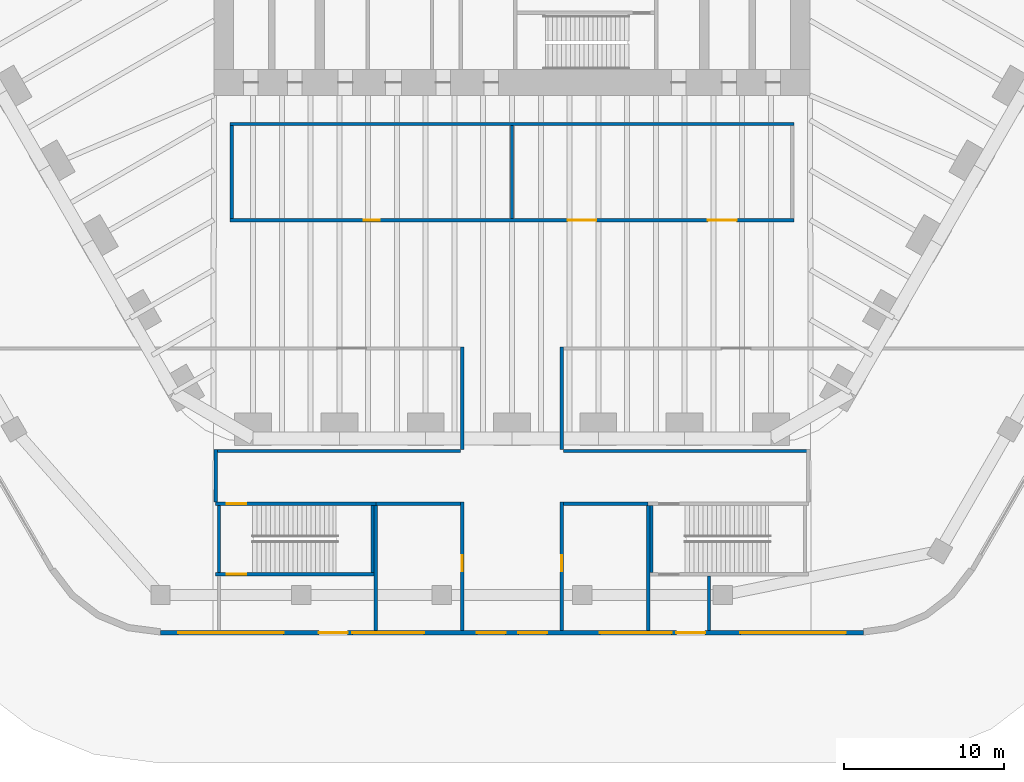
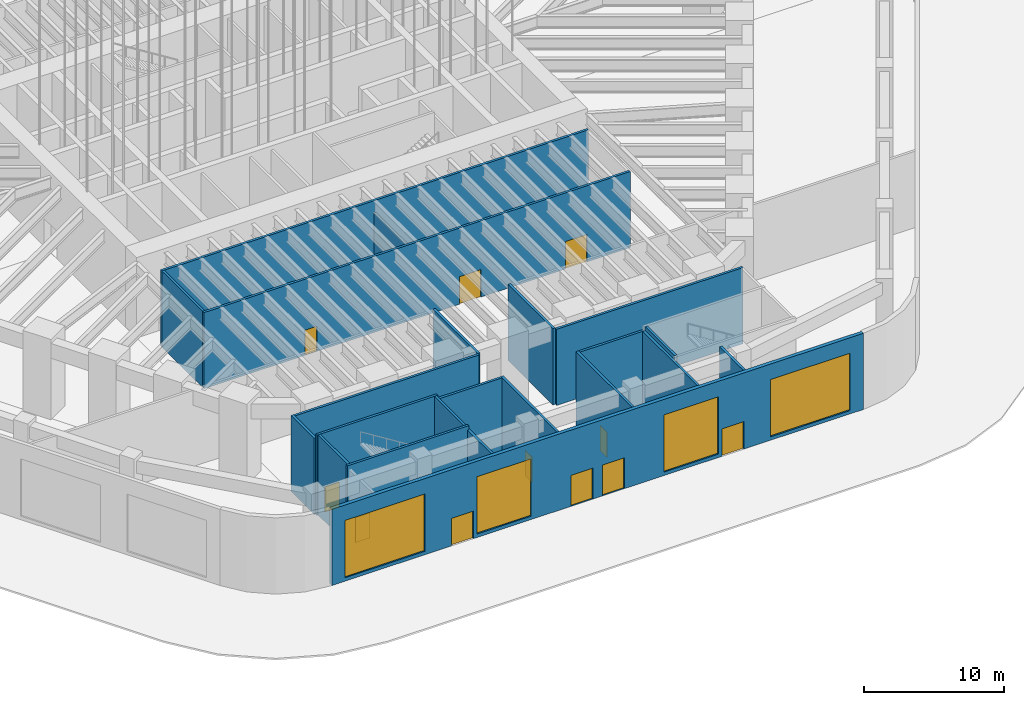
# One storey, part 5 of 23: 22 walls, 11 doors, 4 windows, 15 openings.
"""IFC4 building model written with IfcOpenShell, lengths in metres."""

from ifc_helpers import new_model, si_unit, direction, frame, frame_2d, origin, place, context, subcontext, project, spatial, rectangle, extrude, material, layer, layer_set, type_object, element, fill, save


model = new_model("IFC4")

# Units and contexts
model_context = context("Model", 3, precision=1e-05, world=origin(), true_north=direction((0.0, 1.0)))
body_context = subcontext(model_context, "Body", "Model", "MODEL_VIEW")
ifc_project = project(units=[si_unit("LENGTHUNIT", "METRE"), si_unit("AREAUNIT", "SQUARE_METRE"), si_unit("VOLUMEUNIT", "CUBIC_METRE"), si_unit("PLANEANGLEUNIT", "RADIAN"), si_unit("MASSUNIT", "GRAM", prefix="KILO")], contexts=[model_context])

# Site, building, storey
site_placement = place(None, origin())
site = spatial("IfcSite", under=ifc_project, at=site_placement, CompositionType="ELEMENT")
building_placement = place(site_placement, origin())
building = spatial("IfcBuilding", under=site, at=building_placement, Name="Tarfa Lantern Tower", CompositionType="ELEMENT")
storey_placement = place(building_placement, origin())
storey = spatial("IfcBuildingStorey", under=building, at=storey_placement, Name="L00", CompositionType="ELEMENT", Elevation=0.0)

# Wall, openings, doors, windows
ifc_material_1 = material(Name="Limestone cladding on blockwork", Category="masonry")
ifc_layer_1 = layer(ifc_material_1, 0.300048828125)
ifc_layer_set_1 = layer_set([ifc_layer_1], Name="EW1 STONE-CLAD WALL 300")
wall_type_1 = type_object("IfcWallType", Name="EW1 STONE-CLAD WALL 300", PredefinedType="SOLIDWALL", material=ifc_layer_set_1)
wall_1_placement = place(storey_placement, frame((-21.939208984375, -45.85009765625, 0.0), z_axis=(0.0, 0.0, 1.0), x_axis=(1.0, 0.0, 0.0)))
wall_1 = element("IfcWall", 1, at=wall_1_placement, inside=storey, type_object=wall_type_1, Name="Podium wall S", PredefinedType="SOLIDWALL", context=body_context, shape_type="SweptSolid", body=[
    extrude(rectangle(XDim=43.87841796875, YDim=0.300048828125, at=frame_2d((21.939208984375, 0.0))), origin(), (0.0, 0.0, 1.0), 6.64990234375),
])
opening_1_placement = place(wall_1_placement, frame((1.099853515625, 0.0, 0.300048828125)))
opening_1 = element("IfcOpeningElement", 2, at=opening_1_placement, cuts=wall_1, Name="Opening W1", PredefinedType="OPENING", context=body_context, shape_type="SweptSolid", body=[
    extrude(rectangle(XDim=6.575927734375, YDim=5.0, at=frame_2d((3.2880859375, 2.5))), frame((0.0, 0.159912109375, 0.0), z_axis=(0.0, -1.0, 0.0), x_axis=(1.0, 0.0, 0.0)), (0.0, 0.0, 1.0), 0.320068359375),
])
opening_2_placement = place(wall_1_placement, frame((9.87548828125, 0.0, 0.0)))
opening_2 = element("IfcOpeningElement", 3, at=opening_2_placement, cuts=wall_1, Name="Opening D60", PredefinedType="OPENING", context=body_context, shape_type="SweptSolid", body=[
    extrude(rectangle(XDim=1.800048828125, YDim=2.39990234375, at=frame_2d((0.89990234375, 1.199951171875))), frame((0.0, 0.159912109375, 0.0), z_axis=(0.0, -1.0, 0.0), x_axis=(1.0, 0.0, 0.0)), (0.0, 0.0, 1.0), 0.320068359375),
])
opening_3_placement = place(wall_1_placement, frame((11.9755859375, 0.0, 0.300048828125)))
opening_3 = element("IfcOpeningElement", 4, at=opening_3_placement, cuts=wall_1, Name="Opening W1A", PredefinedType="OPENING", context=body_context, shape_type="SweptSolid", body=[
    extrude(rectangle(XDim=4.47607421875, YDim=5.0, at=frame_2d((2.238037109375, 2.5))), frame((0.0, 0.159912109375, 0.0), z_axis=(0.0, -1.0, 0.0), x_axis=(1.0, 0.0, 0.0)), (0.0, 0.0, 1.0), 0.320068359375),
])
opening_4_placement = place(wall_1_placement, frame((19.7392578125, 0.0, 0.0)))
opening_4 = element("IfcOpeningElement", 5, at=opening_4_placement, cuts=wall_1, Name="Opening D48", PredefinedType="OPENING", context=body_context, shape_type="SweptSolid", body=[
    extrude(rectangle(XDim=1.800048828125, YDim=2.699951171875, at=frame_2d((0.89990234375, 1.35009765625))), frame((0.0, 0.159912109375, 0.0), z_axis=(0.0, -1.0, 0.0), x_axis=(1.0, 0.0, 0.0)), (0.0, 0.0, 1.0), 0.320068359375),
])
opening_5_placement = place(wall_1_placement, frame((22.33935546875, 0.0, 0.0)))
opening_5 = element("IfcOpeningElement", 6, at=opening_5_placement, cuts=wall_1, Name="Opening D49", PredefinedType="OPENING", context=body_context, shape_type="SweptSolid", body=[
    extrude(rectangle(XDim=1.800048828125, YDim=2.699951171875, at=frame_2d((0.89990234375, 1.35009765625))), frame((0.0, 0.159912109375, 0.0), z_axis=(0.0, -1.0, 0.0), x_axis=(1.0, 0.0, 0.0)), (0.0, 0.0, 1.0), 0.320068359375),
])
opening_6_placement = place(wall_1_placement, frame((32.203125, 0.0, 0.0)))
opening_6 = element("IfcOpeningElement", 7, at=opening_6_placement, cuts=wall_1, Name="Opening D61", PredefinedType="OPENING", context=body_context, shape_type="SweptSolid", body=[
    extrude(rectangle(XDim=1.800048828125, YDim=2.39990234375, at=frame_2d((0.89990234375, 1.199951171875))), frame((0.0, 0.159912109375, 0.0), z_axis=(0.0, -1.0, 0.0), x_axis=(1.0, 0.0, 0.0)), (0.0, 0.0, 1.0), 0.320068359375),
])
opening_7_placement = place(wall_1_placement, frame((27.427001953125, 0.0, 0.300048828125)))
opening_7 = element("IfcOpeningElement", 8, at=opening_7_placement, cuts=wall_1, Name="Opening W1A", PredefinedType="OPENING", context=body_context, shape_type="SweptSolid", body=[
    extrude(rectangle(XDim=4.47607421875, YDim=5.0, at=frame_2d((2.238037109375, 2.5))), frame((0.0, 0.159912109375, 0.0), z_axis=(0.0, -1.0, 0.0), x_axis=(1.0, 0.0, 0.0)), (0.0, 0.0, 1.0), 0.320068359375),
])
opening_8_placement = place(wall_1_placement, frame((36.20263671875, 0.0, 0.300048828125)))
opening_8 = element("IfcOpeningElement", 9, at=opening_8_placement, cuts=wall_1, Name="Opening W1", PredefinedType="OPENING", context=body_context, shape_type="SweptSolid", body=[
    extrude(rectangle(XDim=6.575927734375, YDim=5.0, at=frame_2d((3.2880859375, 2.5))), frame((0.0, 0.159912109375, 0.0), z_axis=(0.0, -1.0, 0.0), x_axis=(1.0, 0.0, 0.0)), (0.0, 0.0, 1.0), 0.320068359375),
])
ifc_material_2 = material(Name="Aluminium framed glazed door", Category="aluminium")
door_type_1 = type_object("IfcDoorType", Name="EE1 ENTRANCE DOOR 1800x2700", OperationType="DOUBLE_DOOR_SINGLE_SWING", PredefinedType="DOOR", material=ifc_material_2)
door_1_placement = place(opening_4_placement, origin())
door_1 = element("IfcDoor", 10, at=door_1_placement, inside=storey, type_object=door_type_1, Name="Entrance door S 1", OperationType="DOUBLE_DOOR_SINGLE_SWING", OverallHeight=2.699951171875, OverallWidth=1.800048828125, PredefinedType="DOOR", context=body_context, shape_type="SweptSolid", body=[
    extrude(rectangle(XDim=1.800048828125, YDim=2.699951171875, at=frame_2d((0.89990234375, 1.35009765625))), frame((0.0, 0.02490234375, 0.0), z_axis=(0.0, -1.0, 0.0), x_axis=(1.0, 0.0, 0.0)), (0.0, 0.0, 1.0), 0.050048828125),
])
fill(opening_4, door_1)
door_2_placement = place(opening_5_placement, origin())
door_2 = element("IfcDoor", 11, at=door_2_placement, inside=storey, type_object=door_type_1, Name="Entrance door S 2", OperationType="DOUBLE_DOOR_SINGLE_SWING", OverallHeight=2.699951171875, OverallWidth=1.800048828125, PredefinedType="DOOR", context=body_context, shape_type="SweptSolid", body=[
    extrude(rectangle(XDim=1.800048828125, YDim=2.699951171875, at=frame_2d((0.89990234375, 1.35009765625))), frame((0.0, 0.02490234375, 0.0), z_axis=(0.0, -1.0, 0.0), x_axis=(1.0, 0.0, 0.0)), (0.0, 0.0, 1.0), 0.050048828125),
])
fill(opening_5, door_2)
ifc_material_3 = material(Name="Aluminium frame, double glazed", Category="aluminium")
window_type_1 = type_object("IfcWindowType", Name="W1 SHOPFRONT GLAZING 6576x5000", PartitioningType="SINGLE_PANEL", PredefinedType="WINDOW", material=ifc_material_3)
window_1_placement = place(opening_1_placement, origin())
window_1 = element("IfcWindow", 12, at=window_1_placement, inside=storey, type_object=window_type_1, Name="Shopfront S 1", OverallHeight=5.0, OverallWidth=6.575927734375, PartitioningType="SINGLE_PANEL", PredefinedType="WINDOW", context=body_context, shape_type="SweptSolid", body=[
    extrude(rectangle(XDim=6.575927734375, YDim=5.0, at=frame_2d((3.2880859375, 2.5))), frame((0.0, 0.030029296875, 0.0), z_axis=(0.0, -1.0, 0.0), x_axis=(1.0, 0.0, 0.0)), (0.0, 0.0, 1.0), 0.06005859375),
])
fill(opening_1, window_1)
window_2_placement = place(opening_8_placement, origin())
window_2 = element("IfcWindow", 13, at=window_2_placement, inside=storey, type_object=window_type_1, Name="Shopfront S 5", OverallHeight=5.0, OverallWidth=6.575927734375, PartitioningType="SINGLE_PANEL", PredefinedType="WINDOW", context=body_context, shape_type="SweptSolid", body=[
    extrude(rectangle(XDim=6.575927734375, YDim=5.0, at=frame_2d((3.2880859375, 2.5))), frame((0.0, 0.030029296875, 0.0), z_axis=(0.0, -1.0, 0.0), x_axis=(1.0, 0.0, 0.0)), (0.0, 0.0, 1.0), 0.06005859375),
])
fill(opening_8, window_2)
window_type_2 = type_object("IfcWindowType", Name="W1A SHOPFRONT GLAZING 4476x5000", PartitioningType="SINGLE_PANEL", PredefinedType="WINDOW", material=ifc_material_3)
window_3_placement = place(opening_3_placement, origin())
window_3 = element("IfcWindow", 14, at=window_3_placement, inside=storey, type_object=window_type_2, Name="Shopfront S 2", OverallHeight=5.0, OverallWidth=4.47607421875, PartitioningType="SINGLE_PANEL", PredefinedType="WINDOW", context=body_context, shape_type="SweptSolid", body=[
    extrude(rectangle(XDim=4.47607421875, YDim=5.0, at=frame_2d((2.238037109375, 2.5))), frame((0.0, 0.030029296875, 0.0), z_axis=(0.0, -1.0, 0.0), x_axis=(1.0, 0.0, 0.0)), (0.0, 0.0, 1.0), 0.06005859375),
])
fill(opening_3, window_3)
window_4_placement = place(opening_7_placement, origin())
window_4 = element("IfcWindow", 15, at=window_4_placement, inside=storey, type_object=window_type_2, Name="Shopfront S 4", OverallHeight=5.0, OverallWidth=4.47607421875, PartitioningType="SINGLE_PANEL", PredefinedType="WINDOW", context=body_context, shape_type="SweptSolid", body=[
    extrude(rectangle(XDim=4.47607421875, YDim=5.0, at=frame_2d((2.238037109375, 2.5))), frame((0.0, 0.030029296875, 0.0), z_axis=(0.0, -1.0, 0.0), x_axis=(1.0, 0.0, 0.0)), (0.0, 0.0, 1.0), 0.06005859375),
])
fill(opening_7, window_4)
door_type_2 = type_object("IfcDoorType", Name="XE1 EXIT DOOR 1800x2400", OperationType="DOUBLE_DOOR_SINGLE_SWING", PredefinedType="DOOR", material=ifc_material_2)
door_3_placement = place(opening_2_placement, frame((1.800048828125, 0.0, 0.0), z_axis=(0.0, 0.0, 1.0), x_axis=(-1.0, 0.0, 0.0)))
door_3 = element("IfcDoor", 16, at=door_3_placement, inside=storey, type_object=door_type_2, Name="Stair exit door", OperationType="DOUBLE_DOOR_SINGLE_SWING", OverallHeight=2.39990234375, OverallWidth=1.800048828125, PredefinedType="DOOR", context=body_context, shape_type="SweptSolid", body=[
    extrude(rectangle(XDim=1.800048828125, YDim=2.39990234375, at=frame_2d((0.89990234375, 1.199951171875))), frame((0.0, 0.02490234375, 0.0), z_axis=(0.0, -1.0, 0.0), x_axis=(1.0, 0.0, 0.0)), (0.0, 0.0, 1.0), 0.050048828125),
])
fill(opening_2, door_3)
door_4_placement = place(opening_6_placement, frame((1.800048828125, 0.0, 0.0), z_axis=(0.0, 0.0, 1.0), x_axis=(-1.0, 0.0, 0.0)))
door_4 = element("IfcDoor", 17, at=door_4_placement, inside=storey, type_object=door_type_2, Name="Stair exit door", OperationType="DOUBLE_DOOR_SINGLE_SWING", OverallHeight=2.39990234375, OverallWidth=1.800048828125, PredefinedType="DOOR", context=body_context, shape_type="SweptSolid", body=[
    extrude(rectangle(XDim=1.800048828125, YDim=2.39990234375, at=frame_2d((0.89990234375, 1.199951171875))), frame((0.0, 0.02490234375, 0.0), z_axis=(0.0, -1.0, 0.0), x_axis=(1.0, 0.0, 0.0)), (0.0, 0.0, 1.0), 0.050048828125),
])
fill(opening_6, door_4)

# Wall, opening, door
ifc_material_4 = material(Name="Concrete blockwork", Category="masonry")
ifc_layer_2 = layer(ifc_material_4, 0.199951171875)
ifc_layer_set_2 = layer_set([ifc_layer_2], Name="IW1 BLOCKWORK PARTITION 200 EI 120")
wall_type_2 = type_object("IfcWallType", Name="IW1 BLOCKWORK PARTITION 200 EI 120", PredefinedType="PARTITIONING", material=ifc_layer_set_2)
wall_2_placement = place(storey_placement, frame((-3.10009765625, -45.699951171875, 0.0), z_axis=(0.0, 0.0, 1.0), x_axis=(0.0, 1.0, 0.0)))
wall_2 = element("IfcWall", 18, at=wall_2_placement, inside=storey, type_object=wall_type_2, Name="Fire-rated partition", PredefinedType="PARTITIONING", context=body_context, shape_type="SweptSolid", body=[
    extrude(rectangle(XDim=8.0, YDim=0.199951171875, at=frame_2d((4.0, 0.0))), origin(), (0.0, 0.0, 1.0), 6.64990234375),
])
opening_9_placement = place(wall_2_placement, frame((3.699951171875, 0.0, 0.0)))
opening_9 = element("IfcOpeningElement", 19, at=opening_9_placement, cuts=wall_2, Name="Opening D37", PredefinedType="OPENING", context=body_context, shape_type="SweptSolid", body=[
    extrude(rectangle(XDim=1.0, YDim=2.199951171875, at=frame_2d((0.5, 1.10009765625))), frame((0.0, 0.10986328125, 0.0), z_axis=(0.0, -1.0, 0.0), x_axis=(1.0, 0.0, 0.0)), (0.0, 0.0, 1.0), 0.219970703125),
])
ifc_material_5 = material(Name="Steel fire door", Category="steel")
door_type_3 = type_object("IfcDoorType", Name="DF8 FIRE DOOR 1000x2200", OperationType="SINGLE_SWING_LEFT", PredefinedType="DOOR", material=ifc_material_5)
door_5_placement = place(opening_9_placement, origin())
door_5 = element("IfcDoor", 20, at=door_5_placement, inside=storey, type_object=door_type_3, Name="Security control room door", OperationType="SINGLE_SWING_LEFT", OverallHeight=2.199951171875, OverallWidth=1.0, PredefinedType="DOOR", context=body_context, shape_type="SweptSolid", body=[
    extrude(rectangle(XDim=1.0, YDim=2.199951171875, at=frame_2d((0.5, 1.10009765625))), frame((0.0, 0.02490234375, 0.0), z_axis=(0.0, -1.0, 0.0), x_axis=(1.0, 0.0, 0.0)), (0.0, 0.0, 1.0), 0.050048828125),
])
fill(opening_9, door_5)

wall_3_placement = place(storey_placement, frame((3.10009765625, -45.699951171875, 0.0), z_axis=(0.0, 0.0, 1.0), x_axis=(0.0, 1.0, 0.0)))
wall_3 = element("IfcWall", 21, at=wall_3_placement, inside=storey, type_object=wall_type_2, Name="Fire-rated partition", PredefinedType="PARTITIONING", context=body_context, shape_type="SweptSolid", body=[
    extrude(rectangle(XDim=8.0, YDim=0.199951171875, at=frame_2d((4.0, 0.0))), origin(), (0.0, 0.0, 1.0), 6.64990234375),
])
opening_10_placement = place(wall_3_placement, frame((3.699951171875, 0.0, 0.0)))
opening_10 = element("IfcOpeningElement", 22, at=opening_10_placement, cuts=wall_3, Name="Opening D33", PredefinedType="OPENING", context=body_context, shape_type="SweptSolid", body=[
    extrude(rectangle(XDim=1.0, YDim=2.199951171875, at=frame_2d((0.5, 1.10009765625))), frame((0.0, 0.10986328125, 0.0), z_axis=(0.0, -1.0, 0.0), x_axis=(1.0, 0.0, 0.0)), (0.0, 0.0, 1.0), 0.219970703125),
])
door_6_placement = place(opening_10_placement, frame((1.0, 0.0, 0.0), z_axis=(0.0, 0.0, 1.0), x_axis=(-1.0, 0.0, 0.0)))
door_6 = element("IfcDoor", 23, at=door_6_placement, inside=storey, type_object=door_type_3, Name="Fire command centre door", OperationType="SINGLE_SWING_RIGHT", OverallHeight=2.199951171875, OverallWidth=1.0, PredefinedType="DOOR", context=body_context, shape_type="SweptSolid", body=[
    extrude(rectangle(XDim=1.0, YDim=2.199951171875, at=frame_2d((0.5, 1.10009765625))), frame((0.0, 0.02490234375, 0.0), z_axis=(0.0, -1.0, 0.0), x_axis=(1.0, 0.0, 0.0)), (0.0, 0.0, 1.0), 0.050048828125),
])
fill(opening_10, door_6)

# Walls
for number, where, z_axis, x_axis, name in (
    (24, (-3.10009765625, -34.39990234375, 0.0), (0.0, 0.0, 1.0), (0.0, 1.0, 0.0), "Fire-rated partition"),
    (25, (3.10009765625, -34.39990234375, 0.0), (0.0, 0.0, 1.0), (0.0, 1.0, 0.0), "Fire-rated partition"),
):
    element("IfcWall", number, at=place(storey_placement, frame(where, z_axis=z_axis, x_axis=x_axis)), inside=storey, type_object=wall_type_2, Name=name, PredefinedType="PARTITIONING", context=body_context, shape_type="SweptSolid", body=[
        extrude(rectangle(XDim=6.39990234375, YDim=0.199951171875, at=frame_2d((3.199951171875, 0.0))), origin(), (0.0, 0.0, 1.0), 6.64990234375),
    ])
for number, where, z_axis, x_axis, name in (
    (26, (-18.60009765625, -34.5, 0.0), (0.0, 0.0, 1.0), (1.0, 0.0, 0.0), "Fire-rated partition"),
    (27, (3.199951171875, -34.5, 0.0), (0.0, 0.0, 1.0), (1.0, 0.0, 0.0), "Fire-rated partition"),
):
    element("IfcWall", number, at=place(storey_placement, frame(where, z_axis=z_axis, x_axis=x_axis)), inside=storey, type_object=wall_type_2, Name=name, PredefinedType="PARTITIONING", context=body_context, shape_type="SweptSolid", body=[
        extrude(rectangle(XDim=15.400146484375, YDim=0.199951171875, at=frame_2d((7.7001953125, 0.0))), origin(), (0.0, 0.0, 1.0), 6.64990234375),
    ])
wall_4_placement = place(storey_placement, frame((-18.5, -37.699951171875, 0.0), z_axis=(0.0, 0.0, 1.0), x_axis=(0.0, 1.0, 0.0)))
element("IfcWall", 28, at=wall_4_placement, inside=storey, type_object=wall_type_2, Name="Fire-rated partition", PredefinedType="PARTITIONING", context=body_context, shape_type="SweptSolid", body=[
    extrude(rectangle(XDim=3.300048828125, YDim=0.199951171875, at=frame_2d((1.64990234375, 0.0))), origin(), (0.0, 0.0, 1.0), 6.64990234375),
])
for number, where, z_axis, x_axis, name in (
    (29, (-8.5, -37.800048828125, 0.0), (0.0, 0.0, 1.0), (1.0, 0.0, 0.0), "Fire-rated partition"),
    (30, (3.199951171875, -37.800048828125, 0.0), (0.0, 0.0, 1.0), (1.0, 0.0, 0.0), "Fire-rated partition"),
):
    element("IfcWall", number, at=place(storey_placement, frame(where, z_axis=z_axis, x_axis=x_axis)), inside=storey, type_object=wall_type_2, Name=name, PredefinedType="PARTITIONING", context=body_context, shape_type="SweptSolid", body=[
        extrude(rectangle(XDim=5.300048828125, YDim=0.199951171875, at=frame_2d((2.64990234375, 0.0))), origin(), (0.0, 0.0, 1.0), 6.64990234375),
    ])
for number, where, z_axis, x_axis, name in (
    (31, (-8.5, -45.699951171875, 0.0), (0.0, 0.0, 1.0), (0.0, 1.0, 0.0), "Fire-rated partition"),
    (32, (8.5, -45.699951171875, 0.0), (0.0, 0.0, 1.0), (0.0, 1.0, 0.0), "Fire-rated partition"),
):
    element("IfcWall", number, at=place(storey_placement, frame(where, z_axis=z_axis, x_axis=x_axis)), inside=storey, type_object=wall_type_2, Name=name, PredefinedType="PARTITIONING", context=body_context, shape_type="SweptSolid", body=[
        extrude(rectangle(XDim=7.800048828125, YDim=0.199951171875, at=frame_2d((3.89990234375, 0.0))), origin(), (0.0, 0.0, 1.0), 6.64990234375),
    ])
wall_5_placement = place(storey_placement, frame((12.300048828125, -45.699951171875, 0.0), z_axis=(0.0, 0.0, 1.0), x_axis=(0.0, 1.0, 0.0)))
element("IfcWall", 33, at=wall_5_placement, inside=storey, type_object=wall_type_2, Name="Fire-rated partition", PredefinedType="PARTITIONING", context=body_context, shape_type="SweptSolid", body=[
    extrude(rectangle(XDim=3.39990234375, YDim=0.199951171875, at=frame_2d((1.699951171875, 0.0))), origin(), (0.0, 0.0, 1.0), 6.64990234375),
])
ifc_material_6 = material(Name="Gypsum board on steel studs", Category="steel")
ifc_layer_3 = layer(ifc_material_6, 0.2099609375)
ifc_layer_set_3 = layer_set([ifc_layer_3], Name="IW2 ACOUSTIC PARTITION 200")
wall_type_3 = type_object("IfcWallType", Name="IW2 ACOUSTIC PARTITION 200", PredefinedType="PARTITIONING", material=ifc_layer_set_3)
wall_6_placement = place(storey_placement, frame((17.60009765625, -14.10009765625, 0.0), z_axis=(0.0, 0.0, 1.0), x_axis=(-1.0, 0.0, 0.0)))
element("IfcWall", 34, at=wall_6_placement, inside=storey, type_object=wall_type_3, Name="Partition", PredefinedType="PARTITIONING", context=body_context, shape_type="SweptSolid", body=[
    extrude(rectangle(XDim=35.2001953125, YDim=0.199951171875, at=frame_2d((17.60009765625, 0.0))), origin(), (0.0, 0.0, 1.0), 6.64990234375),
])
wall_7_placement = place(storey_placement, frame((0.0, -14.199951171875, 0.0), z_axis=(0.0, 0.0, 1.0), x_axis=(0.0, -1.0, 0.0)))
element("IfcWall", 35, at=wall_7_placement, inside=storey, type_object=wall_type_3, Name="Partition", PredefinedType="PARTITIONING", context=body_context, shape_type="SweptSolid", body=[
    extrude(rectangle(XDim=5.800048828125, YDim=0.199951171875, at=frame_2d((2.89990234375, 0.0))), origin(), (0.0, 0.0, 1.0), 5.593994140625),
])
wall_8_placement = place(storey_placement, frame((-17.5, -14.199951171875, 0.0), z_axis=(0.0, 0.0, 1.0), x_axis=(0.0, -1.0, 0.0)))
element("IfcWall", 36, at=wall_8_placement, inside=storey, type_object=wall_type_3, Name="Partition", PredefinedType="PARTITIONING", context=body_context, shape_type="SweptSolid", body=[
    extrude(rectangle(XDim=5.800048828125, YDim=0.199951171875, at=frame_2d((2.89990234375, 0.0))), origin(), (0.0, 0.0, 1.0), 6.64990234375),
])

# Wall, openings, doors
wall_9_placement = place(storey_placement, frame((17.60009765625, -20.10009765625, 0.0), z_axis=(0.0, 0.0, 1.0), x_axis=(-1.0, 0.0, 0.0)))
wall_9 = element("IfcWall", 37, at=wall_9_placement, inside=storey, type_object=wall_type_3, Name="Partition", PredefinedType="PARTITIONING", context=body_context, shape_type="SweptSolid", body=[
    extrude(rectangle(XDim=35.2001953125, YDim=0.199951171875, at=frame_2d((17.60009765625, 0.0))), origin(), (0.0, 0.0, 1.0), 6.64990234375),
])
opening_11_placement = place(wall_9_placement, frame((3.574951171875, 0.0, 0.0)))
opening_11 = element("IfcOpeningElement", 38, at=opening_11_placement, cuts=wall_9, Name="Opening D40", PredefinedType="OPENING", context=body_context, shape_type="SweptSolid", body=[
    extrude(rectangle(XDim=1.800048828125, YDim=2.39990234375, at=frame_2d((0.89990234375, 1.199951171875))), frame((0.0, 0.10986328125, 0.0), z_axis=(0.0, -1.0, 0.0), x_axis=(1.0, 0.0, 0.0)), (0.0, 0.0, 1.0), 0.219970703125),
])
opening_12_placement = place(wall_9_placement, frame((12.324951171875, 0.0, 0.0)))
opening_12 = element("IfcOpeningElement", 39, at=opening_12_placement, cuts=wall_9, Name="Opening D41", PredefinedType="OPENING", context=body_context, shape_type="SweptSolid", body=[
    extrude(rectangle(XDim=1.800048828125, YDim=2.39990234375, at=frame_2d((0.89990234375, 1.199951171875))), frame((0.0, 0.10986328125, 0.0), z_axis=(0.0, -1.0, 0.0), x_axis=(1.0, 0.0, 0.0)), (0.0, 0.0, 1.0), 0.219970703125),
])
opening_13_placement = place(wall_9_placement, frame((25.85009765625, 0.0, 0.0)))
opening_13 = element("IfcOpeningElement", 40, at=opening_13_placement, cuts=wall_9, Name="Opening D42", PredefinedType="OPENING", context=body_context, shape_type="SweptSolid", body=[
    extrude(rectangle(XDim=1.0, YDim=2.199951171875, at=frame_2d((0.5, 1.10009765625))), frame((0.0, 0.10986328125, 0.0), z_axis=(0.0, -1.0, 0.0), x_axis=(1.0, 0.0, 0.0)), (0.0, 0.0, 1.0), 0.219970703125),
])
ifc_material_7 = material(Name="Timber door", Category="wood")
door_type_4 = type_object("IfcDoorType", Name="DR1 ROOM DOOR 1000x2200", OperationType="SINGLE_SWING_LEFT", PredefinedType="DOOR", material=ifc_material_7)
door_7_placement = place(opening_13_placement, frame((1.0, 0.0, 0.0), z_axis=(0.0, 0.0, 1.0), x_axis=(-1.0, 0.0, 0.0)))
door_7 = element("IfcDoor", 41, at=door_7_placement, inside=storey, type_object=door_type_4, Name="Staff room door", OperationType="SINGLE_SWING_RIGHT", OverallHeight=2.199951171875, OverallWidth=1.0, PredefinedType="DOOR", context=body_context, shape_type="SweptSolid", body=[
    extrude(rectangle(XDim=1.0, YDim=2.199951171875, at=frame_2d((0.5, 1.10009765625))), frame((0.0, 0.02490234375, 0.0), z_axis=(0.0, -1.0, 0.0), x_axis=(1.0, 0.0, 0.0)), (0.0, 0.0, 1.0), 0.050048828125),
])
fill(opening_13, door_7)
door_type_5 = type_object("IfcDoorType", Name="DR2 ROOM DOOR 1800x2400", OperationType="DOUBLE_DOOR_SINGLE_SWING", PredefinedType="DOOR", material=ifc_material_7)
door_8_placement = place(opening_11_placement, frame((1.800048828125, 0.0, 0.0), z_axis=(0.0, 0.0, 1.0), x_axis=(-1.0, 0.0, 0.0)))
door_8 = element("IfcDoor", 42, at=door_8_placement, inside=storey, type_object=door_type_5, Name="Cafe door", OperationType="DOUBLE_DOOR_SINGLE_SWING", OverallHeight=2.39990234375, OverallWidth=1.800048828125, PredefinedType="DOOR", context=body_context, shape_type="SweptSolid", body=[
    extrude(rectangle(XDim=1.800048828125, YDim=2.39990234375, at=frame_2d((0.89990234375, 1.199951171875))), frame((0.0, 0.02490234375, 0.0), z_axis=(0.0, -1.0, 0.0), x_axis=(1.0, 0.0, 0.0)), (0.0, 0.0, 1.0), 0.050048828125),
])
fill(opening_11, door_8)
door_9_placement = place(opening_12_placement, frame((1.800048828125, 0.0, 0.0), z_axis=(0.0, 0.0, 1.0), x_axis=(-1.0, 0.0, 0.0)))
door_9 = element("IfcDoor", 43, at=door_9_placement, inside=storey, type_object=door_type_5, Name="Cafe door", OperationType="DOUBLE_DOOR_SINGLE_SWING", OverallHeight=2.39990234375, OverallWidth=1.800048828125, PredefinedType="DOOR", context=body_context, shape_type="SweptSolid", body=[
    extrude(rectangle(XDim=1.800048828125, YDim=2.39990234375, at=frame_2d((0.89990234375, 1.199951171875))), frame((0.0, 0.02490234375, 0.0), z_axis=(0.0, -1.0, 0.0), x_axis=(1.0, 0.0, 0.0)), (0.0, 0.0, 1.0), 0.050048828125),
])
fill(opening_12, door_9)

# Wall, opening, door
ifc_material_8 = material(Name="Concrete C80/95", Category="concrete")
ifc_layer_4 = layer(ifc_material_8, 0.199951171875)
ifc_layer_set_4 = layer_set([ifc_layer_4], Name="SW12 CORE WALL 200")
wall_type_4 = type_object("IfcWallType", Name="SW12 CORE WALL 200", PredefinedType="SHEAR", material=ifc_layer_set_4)
wall_10_placement = place(storey_placement, frame((-18.5, -42.199951171875, 0.0), z_axis=(0.0, 0.0, 1.0), x_axis=(1.0, 0.0, 0.0)))
wall_10 = element("IfcWall", 44, at=wall_10_placement, inside=storey, type_object=wall_type_4, Name="Stair ST5 shaft wall", PredefinedType="SHEAR", context=body_context, shape_type="SweptSolid", body=[
    extrude(rectangle(XDim=10.0, YDim=0.199951171875, at=frame_2d((5.0, 0.0))), origin(), (0.0, 0.0, 1.0), 7.0),
])
opening_14_placement = place(wall_10_placement, frame((0.699951171875, 0.0, 0.0)))
opening_14 = element("IfcOpeningElement", 45, at=opening_14_placement, cuts=wall_10, Name="Opening D56", PredefinedType="OPENING", context=body_context, shape_type="SweptSolid", body=[
    extrude(rectangle(XDim=1.199951171875, YDim=2.199951171875, at=frame_2d((0.60009765625, 1.10009765625))), frame((0.0, 0.10986328125, 0.0), z_axis=(0.0, -1.0, 0.0), x_axis=(1.0, 0.0, 0.0)), (0.0, 0.0, 1.0), 0.219970703125),
])
door_type_6 = type_object("IfcDoorType", Name="DF9 STAIR DOOR 1200x2200", OperationType="SINGLE_SWING_LEFT", PredefinedType="DOOR", material=ifc_material_5)
door_10_placement = place(opening_14_placement, frame((1.199951171875, 0.0, 0.0), z_axis=(0.0, 0.0, 1.0), x_axis=(-1.0, 0.0, 0.0)))
door_10 = element("IfcDoor", 46, at=door_10_placement, inside=storey, type_object=door_type_6, Name="Stair door", OperationType="SINGLE_SWING_LEFT", OverallHeight=2.199951171875, OverallWidth=1.199951171875, PredefinedType="DOOR", context=body_context, shape_type="SweptSolid", body=[
    extrude(rectangle(XDim=1.199951171875, YDim=2.199951171875, at=frame_2d((0.60009765625, 1.10009765625))), frame((0.0, 0.02490234375, 0.0), z_axis=(0.0, -1.0, 0.0), x_axis=(1.0, 0.0, 0.0)), (0.0, 0.0, 1.0), 0.050048828125),
])
fill(opening_14, door_10)

wall_11_placement = place(storey_placement, frame((-8.5, -37.800048828125, 0.0), z_axis=(0.0, 0.0, 1.0), x_axis=(-1.0, 0.0, 0.0)))
wall_11 = element("IfcWall", 47, at=wall_11_placement, inside=storey, type_object=wall_type_4, Name="Stair ST5 shaft wall", PredefinedType="SHEAR", context=body_context, shape_type="SweptSolid", body=[
    extrude(rectangle(XDim=10.0, YDim=0.199951171875, at=frame_2d((5.0, 0.0))), origin(), (0.0, 0.0, 1.0), 7.0),
])
opening_15_placement = place(wall_11_placement, frame((8.10009765625, 0.0, 0.0)))
opening_15 = element("IfcOpeningElement", 48, at=opening_15_placement, cuts=wall_11, Name="Opening D31", PredefinedType="OPENING", context=body_context, shape_type="SweptSolid", body=[
    extrude(rectangle(XDim=1.199951171875, YDim=2.199951171875, at=frame_2d((0.60009765625, 1.10009765625))), frame((0.0, 0.10986328125, 0.0), z_axis=(0.0, -1.0, 0.0), x_axis=(1.0, 0.0, 0.0)), (0.0, 0.0, 1.0), 0.219970703125),
])
door_11_placement = place(opening_15_placement, origin())
door_11 = element("IfcDoor", 49, at=door_11_placement, inside=storey, type_object=door_type_6, Name="Stair door", OperationType="SINGLE_SWING_LEFT", OverallHeight=2.199951171875, OverallWidth=1.199951171875, PredefinedType="DOOR", context=body_context, shape_type="SweptSolid", body=[
    extrude(rectangle(XDim=1.199951171875, YDim=2.199951171875, at=frame_2d((0.60009765625, 1.10009765625))), frame((0.0, 0.02490234375, 0.0), z_axis=(0.0, -1.0, 0.0), x_axis=(1.0, 0.0, 0.0)), (0.0, 0.0, 1.0), 0.050048828125),
])
fill(opening_15, door_11)

# Walls
for number, where, z_axis, x_axis, name in (
    (50, (-18.300048828125, -37.89990234375, 0.0), (0.0, 0.0, 1.0), (0.0, -1.0, 0.0), "Stair ST5 shaft wall"),
    (51, (-8.699951171875, -42.10009765625, 0.0), (0.0, 0.0, 1.0), (0.0, 1.0, 0.0), "Stair ST5 shaft wall"),
    (52, (8.699951171875, -37.89990234375, 0.0), (0.0, 0.0, 1.0), (0.0, -1.0, 0.0), "Stair ST6 shaft wall"),
):
    element("IfcWall", number, at=place(storey_placement, frame(where, z_axis=z_axis, x_axis=x_axis)), inside=storey, type_object=wall_type_4, Name=name, PredefinedType="SHEAR", context=body_context, shape_type="SweptSolid", body=[
        extrude(rectangle(XDim=4.2001953125, YDim=0.199951171875, at=frame_2d((2.10009765625, 0.0))), origin(), (0.0, 0.0, 1.0), 7.0),
    ])

save(model, "model.ifc")
